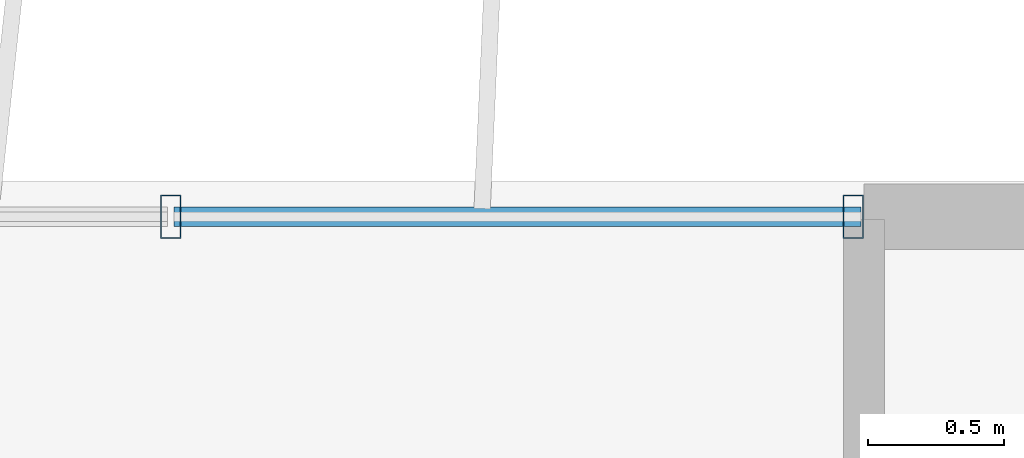
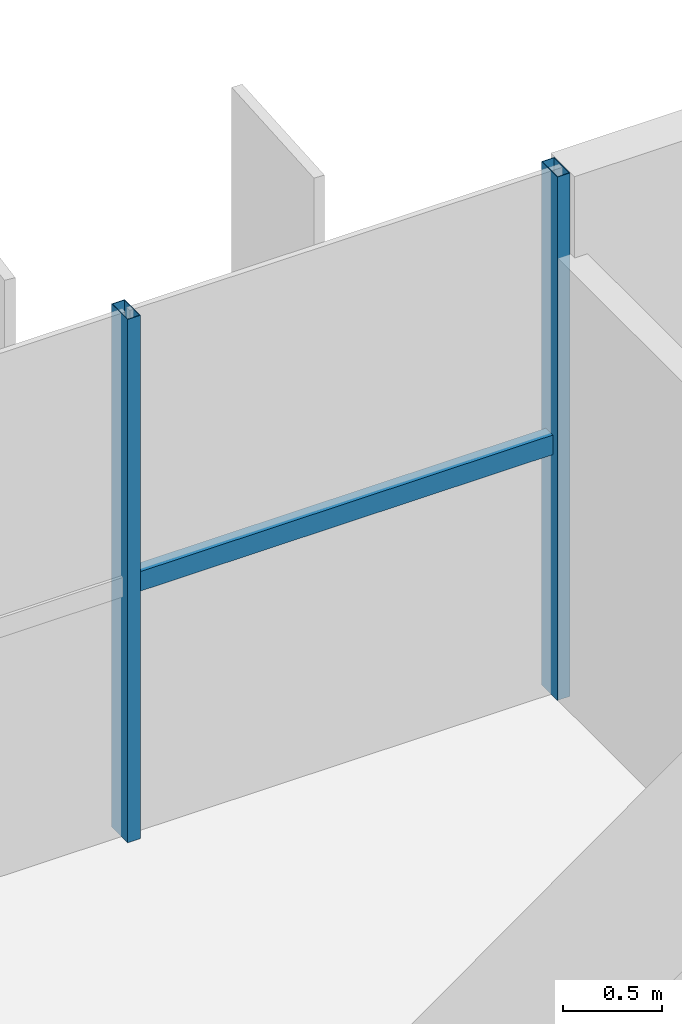
# One storey, part 15 of 24: 3 members, 1 element without a shape of its own.
"""IFC4 building model written with IfcOpenShell, lengths in metres."""

from ifc_helpers import new_model, si_unit, direction, frame, origin, origin_2d, place, context, subcontext, project, spatial, hollow_rectangle, extrude, source, transform, mapped, material, material_profile, profile_set, type_object, element, aggregate, save


model = new_model("IFC4")

# Units and contexts
model_context = context("Model", 3, precision=1e-05, world=origin(), true_north=direction((0.0, 1.0)))
body_context = subcontext(model_context, "Body", "Model", "MODEL_VIEW")
ifc_project = project(units=[si_unit("LENGTHUNIT", "METRE"), si_unit("AREAUNIT", "SQUARE_METRE"), si_unit("VOLUMEUNIT", "CUBIC_METRE"), si_unit("PLANEANGLEUNIT", "RADIAN"), si_unit("MASSUNIT", "GRAM", prefix="KILO")], contexts=[model_context])

# Site, building, storey
site_placement = place(None, origin())
site = spatial("IfcSite", under=ifc_project, at=site_placement, CompositionType="ELEMENT")
building_placement = place(site_placement, origin())
building = spatial("IfcBuilding", under=site, at=building_placement, Name="Trelvane Seafront Commons", CompositionType="ELEMENT")
storey_placement = place(building_placement, frame((0.0, 0.0, 178.89990234375)))
storey = spatial("IfcBuildingStorey", under=building, at=storey_placement, Name="L47", CompositionType="ELEMENT", Elevation=178.89990234375)

# Curtain wall, members
ifc_material = material(Name="Anodised pale-silver aluminium", Category="aluminium")
curtain_wall_type = type_object("IfcCurtainWallType", Name="ARCH-CW5-UPTOWER", PredefinedType="NOTDEFINED", material=ifc_material)
curtain_wall_placement = place(storey_placement, origin())
curtain_wall = element("IfcCurtainWall", 1, at=curtain_wall_placement, inside=storey, type_object=curtain_wall_type, Name="CW-L47-0075", PredefinedType="NOTDEFINED")
ifc_material_profile_1 = material_profile(ifc_material, hollow_rectangle(XDim=0.070068359375, YDim=0.1201171875, WallThickness=0.00390625, at=origin_2d()), Name="TRAN-70x120x4")
ifc_profile_set_1 = profile_set([ifc_material_profile_1], Name="Anodised pale-silver aluminium")
member_type_1 = type_object("IfcMemberType", Name="ARCH-CW-TRAN-120", PredefinedType="USERDEFINED", material=ifc_profile_set_1)
shared_shape_1 = source(origin(), body_context, "Body", "SweptSolid", [
    extrude(hollow_rectangle(XDim=0.070068359375, YDim=0.1201171875, WallThickness=0.00390625, at=origin_2d()), origin(), (0.0, 0.0, 1.0), 2.517333984375),
])
member_1_placement = place(storey_placement, frame((56.270751953125, 48.3701171875, 1.546142578125), z_axis=(1.0, 0.0, 0.0), x_axis=(0.0, 1.0, 0.0)))
member_1 = element("IfcMember", 2, at=member_1_placement, type_object=member_type_1, Name="CW-L47-0075-T16", ObjectType="TRANSOM", PredefinedType="USERDEFINED", context=body_context, shape_type="MappedRepresentation", body=[
    mapped(shared_shape_1, transform((0.0, 0.0, 0.0), x_axis=(1.0, 0.0, 0.0), y_axis=(0.0, 1.0, 0.0), z_axis=(0.0, 0.0, 1.0), scale=1.0)),
])
ifc_material_profile_2 = material_profile(ifc_material, hollow_rectangle(XDim=0.074951171875, YDim=0.159912109375, WallThickness=0.00390625, at=origin_2d()), Name="MULL-75x160x4")
ifc_profile_set_2 = profile_set([ifc_material_profile_2], Name="Anodised pale-silver aluminium")
member_type_2 = type_object("IfcMemberType", Name="ARCH-CW-MULL-160", PredefinedType="MULLION", material=ifc_profile_set_2)
shared_shape_2 = source(origin(), body_context, "Body", "SweptSolid", [
    extrude(hollow_rectangle(XDim=0.074951171875, YDim=0.159912109375, WallThickness=0.00390625, at=origin_2d()), origin(), (0.0, 0.0, 1.0), 3.22021484375),
])
member_2_placement = place(storey_placement, frame((56.2587890625, 48.3701171875, 0.0), z_axis=(0.0, 0.0, 1.0), x_axis=(1.0, 0.0, 0.0)))
member_2 = element("IfcMember", 3, at=member_2_placement, type_object=member_type_2, Name="CW-L47-0075-M16", PredefinedType="MULLION", context=body_context, shape_type="MappedRepresentation", body=[
    mapped(shared_shape_2, transform((0.0, 0.0, 0.0), x_axis=(1.0, 0.0, 0.0), y_axis=(0.0, 1.0, 0.0), z_axis=(0.0, 0.0, 1.0), scale=1.0)),
])
member_3_placement = place(storey_placement, frame((58.760009765625, 48.3701171875, 0.0), z_axis=(0.0, 0.0, 1.0), x_axis=(1.0, 0.0, 0.0)))
member_3 = element("IfcMember", 4, at=member_3_placement, type_object=member_type_2, Name="CW-L47-0075-M17", PredefinedType="MULLION", context=body_context, shape_type="MappedRepresentation", body=[
    mapped(shared_shape_2, transform((0.0, 0.0, 0.0), x_axis=(1.0, 0.0, 0.0), y_axis=(0.0, 1.0, 0.0), z_axis=(0.0, 0.0, 1.0), scale=1.0)),
])
aggregate(curtain_wall, [member_2, member_3, member_1])

save(model, "model.ifc")
